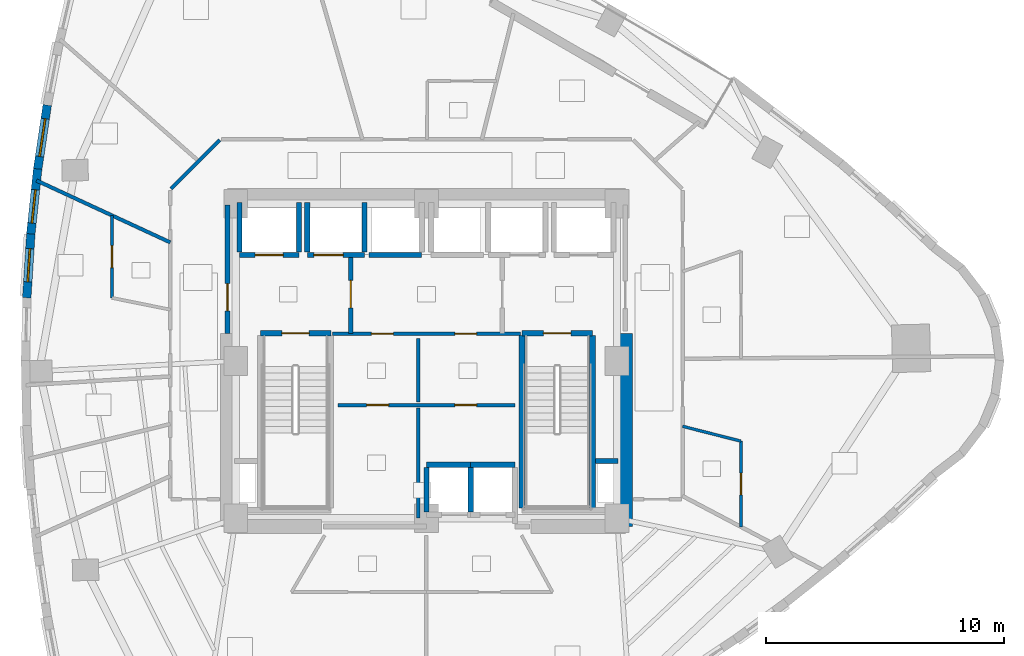
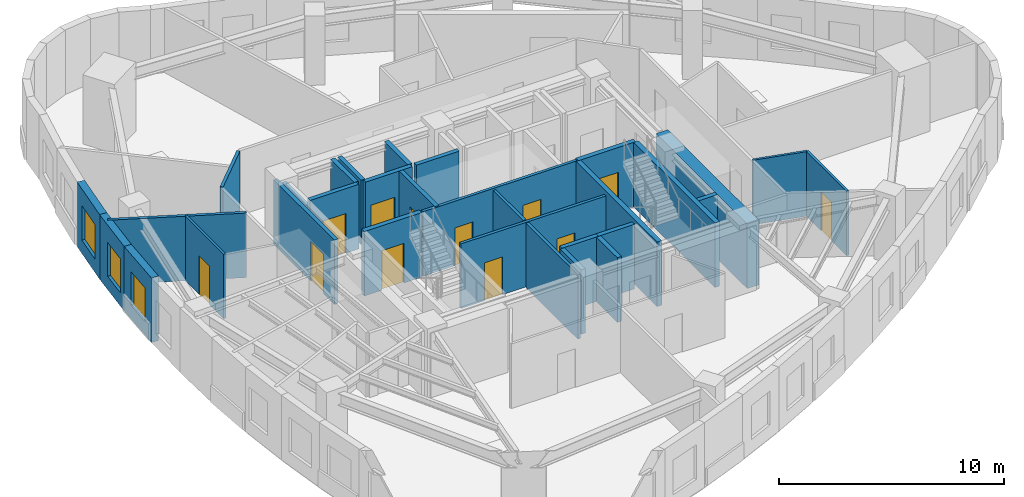
# One storey, part 8 of 13: 31 walls, 12 doors, 3 windows, 15 openings.
"""IFC4 building model written with IfcOpenShell, lengths in metres."""

import ifcopenshell
import ifcopenshell.guid

model = None  # the IFC model being written
_history = None  # IfcOwnerHistory: only IFC2X3 demands one
_inside = {}  # id of a spatial element -> (the spatial element, [elements in it])
_under = {}  # id of a project, library or spatial element -> (it, [spatial elements below it])
_declared = {}  # id of a project -> (the project, [libraries it declares])
_typed = {}  # id of a type object -> (the type object, [elements of that type])
_made_of = {}  # id of a material, layer set ... -> (it, [elements and type objects made of it])


def new_model(schema):
    """Start an empty IFC model of exactly this schema.

    Asked for "IFC4X3", IfcOpenShell would pick the latest addendum, in which some entities
    have other attributes; the version numbers below select the first issue.
    IFC2X3 requires an IfcOwnerHistory on every rooted entity: one is made here for all.
    """
    global model, _history
    if schema == "IFC4X3":
        model = ifcopenshell.file(schema_version=(4, 3, 0, 0))
    else:
        model = ifcopenshell.file(schema=schema)
    _inside.clear()
    _under.clear()
    _declared.clear()
    _typed.clear()
    _made_of.clear()
    _history = None
    if model.schema == "IFC2X3":
        org = make("IfcOrganization", Name="unknown")
        user = make(
            "IfcPersonAndOrganization",
            ThePerson=make("IfcPerson", FamilyName="unknown"),
            TheOrganization=org,
        )
        app = make(
            "IfcApplication",
            ApplicationDeveloper=org,
            Version="unknown",
            ApplicationFullName="unknown",
            ApplicationIdentifier="unknown",
        )
        _history = make(
            "IfcOwnerHistory",
            OwningUser=user,
            OwningApplication=app,
            ChangeAction="ADDED",
            CreationDate=0,
        )
    return model


def make(cls, **values):
    """One entity of the class cls with the attributes given. An attribute that is None is left unset."""
    return model.create_entity(
        cls, **{name: value for name, value in values.items() if value is not None}
    )


def rooted(cls, **values):
    """An entity with a GlobalId (a new one), such as an element, a storey or a relation."""
    return make(cls, GlobalId=ifcopenshell.guid.new(), OwnerHistory=_history, **values)


def si_unit(unit_type, name, prefix=None):
    """IfcSIUnit, for example si_unit("LENGTHUNIT", "METRE", prefix="MILLI")."""
    return make("IfcSIUnit", UnitType=unit_type, Prefix=prefix, Name=name)


def assignment(units):
    """IfcUnitAssignment: the units of a project."""
    return None if units is None else make("IfcUnitAssignment", Units=units)


def point(xyz):
    """IfcCartesianPoint."""
    return None if xyz is None else make("IfcCartesianPoint", Coordinates=xyz)


def direction(xyz):
    """IfcDirection."""
    return None if xyz is None else make("IfcDirection", DirectionRatios=xyz)


def frame(location, z_axis=None, x_axis=None):
    """IfcAxis2Placement3D, a coordinate frame: its origin and axes. An axis left out is left unset."""
    return make(
        "IfcAxis2Placement3D",
        Location=point(location),
        Axis=direction(z_axis),
        RefDirection=direction(x_axis),
    )


def frame_2d(location, x_axis=None):
    """IfcAxis2Placement2D, a coordinate frame in the plane: its origin and x axis."""
    return make(
        "IfcAxis2Placement2D", Location=point(location), RefDirection=direction(x_axis)
    )


def origin():
    """The frame at (0, 0, 0) with its axes left unset."""
    return frame((0.0, 0.0, 0.0))


def place(relative_to, where):
    """IfcLocalPlacement: puts the frame where relative to a parent placement (None: the world)."""
    return make(
        "IfcLocalPlacement", PlacementRelTo=relative_to, RelativePlacement=where
    )


def context(
    kind, dimensions, precision=None, world=None, true_north=None, identifier=None
):
    """IfcGeometricRepresentationContext, for example the 3D "Model" context."""
    return make(
        "IfcGeometricRepresentationContext",
        ContextIdentifier=identifier,
        ContextType=kind,
        CoordinateSpaceDimension=dimensions,
        Precision=precision,
        WorldCoordinateSystem=world,
        TrueNorth=true_north,
    )


def subcontext(parent, identifier, kind, view, scale=None):
    """IfcGeometricRepresentationSubContext, for example "Body" below "Model"."""
    return make(
        "IfcGeometricRepresentationSubContext",
        ContextIdentifier=identifier,
        ContextType=kind,
        ParentContext=parent,
        TargetScale=scale,
        TargetView=view,
    )


def project(units=None, contexts=None):
    """IfcProject with its units and contexts."""
    return rooted(
        "IfcProject",
        Name="project",
        RepresentationContexts=contexts,
        UnitsInContext=assignment(units),
    )


def spatial(cls, under=None, at=None, **own):
    """A site, building, storey or space (cls), placed at a placement, below another one or the project."""
    s = rooted(cls, ObjectPlacement=at, **own)
    if under is not None:
        _under.setdefault(under.id(), (under, []))[1].append(s)
    return s


def profile(cls, at=None, kind="AREA", **sizes):
    """A parametric profile (cls). Its sizes go by their IFC names, for example OverallWidth=200.0."""
    return make(cls, ProfileType=kind, Position=at, **sizes)


def rectangle(**sizes):
    """IfcRectangleProfileDef."""
    return profile("IfcRectangleProfileDef", **sizes)


def extrude(swept, where, along, depth):
    """IfcExtrudedAreaSolid: the profile swept, set in the frame where, extruded along a direction by depth."""
    return make(
        "IfcExtrudedAreaSolid",
        SweptArea=swept,
        Position=where,
        ExtrudedDirection=direction(along),
        Depth=depth,
    )


def shape(context_of_items, identifier, shape_type, items):
    """IfcShapeRepresentation: the items that make up one representation, for example the "Body"."""
    return make(
        "IfcShapeRepresentation",
        ContextOfItems=context_of_items,
        RepresentationIdentifier=identifier,
        RepresentationType=shape_type,
        Items=items,
    )


def material(Name=None, Category=None):
    """IfcMaterial."""
    return make("IfcMaterial", Name=Name, Category=Category)


def layer(
    of_material, thickness, ventilated=None, Name=None, Category=None, Priority=None
):
    """IfcMaterialLayer: one layer of a wall or slab, of a material (None: an air gap)."""
    return make(
        "IfcMaterialLayer",
        Material=of_material,
        LayerThickness=thickness,
        IsVentilated=ventilated,
        Name=Name,
        Category=Category,
        Priority=Priority,
    )


def layer_set(layers, Name=None):
    """IfcMaterialLayerSet."""
    return make("IfcMaterialLayerSet", MaterialLayers=layers, LayerSetName=Name)


def made_of(thing, what):
    """Note that an element or type object is made of a material, layer set ...; save() writes the relation."""
    if what is not None:
        _made_of.setdefault(what.id(), (what, []))[1].append(thing)
    return thing


def type_object(cls, material=None, **own):
    """A type object (cls), such as IfcWallType, which elements share."""
    return made_of(rooted(cls, **own), material)


def element(
    cls,
    number,
    at=None,
    inside=None,
    cuts=None,
    type_object=None,
    material=None,
    context=None,
    identifier="Body",
    shape_type=None,
    held_by="IfcProductDefinitionShape",
    body=None,
    shapes=None,
    **own,
):
    """One element of the class cls, such as IfcWall. Its Tag is "e" and its number.

    at: its placement. inside: the storey or other place that contains it. cuts: it is an
    opening in that element (IfcRelVoidsElement). A single representation is given by context,
    identifier, shape_type and body (its items); several are given by shapes. held_by: the class
    of the entity that holds the representations. save() writes the other relations.
    """
    e = rooted(cls, Tag="e%d" % number, ObjectPlacement=at, **own)
    if body is not None:
        shapes = [shape(context, identifier, shape_type, body)]
    if shapes is not None:
        e.Representation = make(held_by, Representations=shapes)
    if inside is not None:
        _inside.setdefault(inside.id(), (inside, []))[1].append(e)
    if cuts is not None:
        rooted(
            "IfcRelVoidsElement", RelatingBuildingElement=cuts, RelatedOpeningElement=e
        )
    if type_object is not None:
        _typed.setdefault(type_object.id(), (type_object, []))[1].append(e)
    return made_of(e, material)


def fill(opening, filler):
    """IfcRelFillsElement: the door or window that sits in an opening."""
    return rooted(
        "IfcRelFillsElement",
        RelatingOpeningElement=opening,
        RelatedBuildingElement=filler,
    )


def aggregate(whole, parts):
    """IfcRelAggregates: a whole, such as a stair, and the parts it consists of."""
    return rooted("IfcRelAggregates", RelatingObject=whole, RelatedObjects=parts)


def save(model, path):
    """Write the relations noted so far, then the file.

    IfcRelAggregates (storeys below a building ...), IfcRelContainedInSpatialStructure (elements
    in a storey), IfcRelDefinesByType, IfcRelAssociatesMaterial and IfcRelDeclares: one each for
    every whole, place, type object, material and project.
    """
    for whole, parts in _under.values():
        aggregate(whole, parts)
    for where, things in _inside.values():
        rooted(
            "IfcRelContainedInSpatialStructure",
            RelatedElements=things,
            RelatingStructure=where,
        )
    for kind, things in _typed.values():
        rooted("IfcRelDefinesByType", RelatedObjects=things, RelatingType=kind)
    for what, things in _made_of.values():
        rooted("IfcRelAssociatesMaterial", RelatedObjects=things, RelatingMaterial=what)
    for by, libraries in _declared.values():
        rooted("IfcRelDeclares", RelatingContext=by, RelatedDefinitions=libraries)
    model.write(path)


model = new_model("IFC4")

# Units and contexts
model_context = context("Model", 3, precision=1e-05, world=origin(), true_north=direction((0.0, 1.0)))
body_context = subcontext(model_context, "Body", "Model", "MODEL_VIEW")
ifc_project = project(units=[si_unit("LENGTHUNIT", "METRE"), si_unit("AREAUNIT", "SQUARE_METRE"), si_unit("VOLUMEUNIT", "CUBIC_METRE"), si_unit("PLANEANGLEUNIT", "RADIAN"), si_unit("MASSUNIT", "GRAM", prefix="KILO")], contexts=[model_context])

# Site, building, storey
site_placement = place(None, origin())
site = spatial("IfcSite", under=ifc_project, at=site_placement, CompositionType="ELEMENT")
building_placement = place(site_placement, origin())
building = spatial("IfcBuilding", under=site, at=building_placement, Name="Ndelora Gate Hotel", CompositionType="ELEMENT")
storey_placement = place(building_placement, frame((0.0, 0.0, 123.5)))
storey = spatial("IfcBuildingStorey", under=building, at=storey_placement, Name="L30", CompositionType="ELEMENT", Elevation=123.5)

# Wall, opening, window
ifc_material_1 = material(Name="Clay Brick Masonry", Category="masonry")
ifc_layer_1 = layer(ifc_material_1, 0.360107421875)
ifc_layer_set_1 = layer_set([ifc_layer_1], Name="Clay Brick Masonry")
wall_type_1 = type_object("IfcWallType", Name="WL-BRICK-360", PredefinedType="SOLIDWALL", material=ifc_layer_set_1)
wall_1_placement = place(storey_placement, frame((-16.3212890625, 8.01220703125, 0.0), z_axis=(0.0, 0.0, 1.0), x_axis=(0.147193392227, 0.98910773189, 0.0)))
wall_1 = element("IfcWall", 1, at=wall_1_placement, inside=storey, type_object=wall_type_1, Name="L30 Tower Brick Pier-and-Spandrel Wall TWR-11", PredefinedType="SOLIDWALL", context=body_context, shape_type="SweptSolid", body=[
    extrude(rectangle(XDim=2.75830078125, YDim=0.360107421875, at=frame_2d((1.379150390625, 0.0))), origin(), (0.0, 0.0, 1.0), 3.5),
])
opening_1_placement = place(wall_1_placement, frame((0.5791015625, 0.0, 0.719970703125)))
opening_1 = element("IfcOpeningElement", 2, at=opening_1_placement, cuts=wall_1, Name="Opening W01", PredefinedType="OPENING", context=body_context, shape_type="SweptSolid", body=[
    extrude(rectangle(XDim=1.60009765625, YDim=1.8798828125, at=frame_2d((0.800048828125, 0.93994140625))), frame((0.0, 0.18994140625, 0.0), z_axis=(0.0, -1.0, 0.0), x_axis=(1.0, 0.0, 0.0)), (0.0, 0.0, 1.0), 0.380126953125),
])
ifc_material_2 = material(Name="Insulated Low-E Double Glazing in Bronze Aluminium Frame", Category="aluminium")
window_type_1 = type_object("IfcWindowType", Name="WN-DEEP-1600", PartitioningType="SINGLE_PANEL", PredefinedType="WINDOW", material=ifc_material_2)
window_1_placement = place(opening_1_placement, origin())
window_1 = element("IfcWindow", 3, at=window_1_placement, inside=storey, type_object=window_type_1, Name="L30 Deep-Set Brick-Pier Window W01", OverallHeight=1.8798828125, OverallWidth=1.60009765625, PartitioningType="SINGLE_PANEL", PredefinedType="WINDOW", context=body_context, shape_type="SweptSolid", body=[
    extrude(rectangle(XDim=1.60009765625, YDim=1.8798828125, at=frame_2d((0.800048828125, 0.93994140625))), frame((0.0, 0.030029296875, 0.0), z_axis=(0.0, -1.0, 0.0), x_axis=(1.0, 0.0, 0.0)), (0.0, 0.0, 1.0), 0.06005859375),
])
fill(opening_1, window_1)

wall_2_placement = place(storey_placement, frame((-16.60498046875, 5.3330078125, 0.0), z_axis=(0.0, 0.0, 1.0), x_axis=(0.105606362296, 0.994408012962, 0.0)))
wall_2 = element("IfcWall", 4, at=wall_2_placement, inside=storey, type_object=wall_type_1, Name="L30 Tower Brick Pier-and-Spandrel Wall TWR-12", PredefinedType="SOLIDWALL", context=body_context, shape_type="SweptSolid", body=[
    extrude(rectangle(XDim=2.744140625, YDim=0.360107421875, at=frame_2d((1.3720703125, 0.0))), origin(), (0.0, 0.0, 1.0), 3.5),
])
opening_2_placement = place(wall_2_placement, frame((0.4599609375, 0.0, 0.719970703125)))
opening_2 = element("IfcOpeningElement", 5, at=opening_2_placement, cuts=wall_2, Name="Opening W02", PredefinedType="OPENING", context=body_context, shape_type="SweptSolid", body=[
    extrude(rectangle(XDim=1.39990234375, YDim=1.840087890625, at=frame_2d((0.699951171875, 0.919921875))), frame((0.0, 0.18994140625, 0.0), z_axis=(0.0, -1.0, 0.0), x_axis=(1.0, 0.0, 0.0)), (0.0, 0.0, 1.0), 0.380126953125),
])
window_type_2 = type_object("IfcWindowType", Name="WN-DEEP-1400", PartitioningType="SINGLE_PANEL", PredefinedType="WINDOW", material=ifc_material_2)
window_2_placement = place(opening_2_placement, origin())
window_2 = element("IfcWindow", 6, at=window_2_placement, inside=storey, type_object=window_type_2, Name="L30 Deep-Set Brick-Pier Window W02", OverallHeight=1.840087890625, OverallWidth=1.39990234375, PartitioningType="SINGLE_PANEL", PredefinedType="WINDOW", context=body_context, shape_type="SweptSolid", body=[
    extrude(rectangle(XDim=1.39990234375, YDim=1.840087890625, at=frame_2d((0.699951171875, 0.919921875))), frame((0.0, 0.030029296875, 0.0), z_axis=(0.0, -1.0, 0.0), x_axis=(1.0, 0.0, 0.0)), (0.0, 0.0, 1.0), 0.06005859375),
])
fill(opening_2, window_2)

wall_3_placement = place(storey_placement, frame((-16.77490234375, 2.654052734375, 0.0), z_axis=(0.0, 0.0, 1.0), x_axis=(0.063662313476, 0.99797149751, 0.0)))
wall_3 = element("IfcWall", 7, at=wall_3_placement, inside=storey, type_object=wall_type_1, Name="L30 Tower Brick Pier-and-Spandrel Wall TWR-13", PredefinedType="SOLIDWALL", context=body_context, shape_type="SweptSolid", body=[
    extrude(rectangle(XDim=2.734375, YDim=0.360107421875, at=frame_2d((1.3671875, 0.0))), origin(), (0.0, 0.0, 1.0), 3.5),
])
opening_3_placement = place(wall_3_placement, frame((0.667236328125, 0.0, 0.719970703125)))
opening_3 = element("IfcOpeningElement", 8, at=opening_3_placement, cuts=wall_3, Name="Opening W02", PredefinedType="OPENING", context=body_context, shape_type="SweptSolid", body=[
    extrude(rectangle(XDim=1.39990234375, YDim=1.840087890625, at=frame_2d((0.699951171875, 0.919921875))), frame((0.0, 0.18994140625, 0.0), z_axis=(0.0, -1.0, 0.0), x_axis=(1.0, 0.0, 0.0)), (0.0, 0.0, 1.0), 0.380126953125),
])
window_3_placement = place(opening_3_placement, origin())
window_3 = element("IfcWindow", 9, at=window_3_placement, inside=storey, type_object=window_type_2, Name="L30 Deep-Set Brick-Pier Window W02", OverallHeight=1.840087890625, OverallWidth=1.39990234375, PartitioningType="SINGLE_PANEL", PredefinedType="WINDOW", context=body_context, shape_type="SweptSolid", body=[
    extrude(rectangle(XDim=1.39990234375, YDim=1.840087890625, at=frame_2d((0.699951171875, 0.919921875))), frame((0.0, 0.030029296875, 0.0), z_axis=(0.0, -1.0, 0.0), x_axis=(1.0, 0.0, 0.0)), (0.0, 0.0, 1.0), 0.06005859375),
])
fill(opening_3, window_3)

# Wall
ifc_material_3 = material(Name="Concrete C60/75", Category="concrete")
ifc_layer_2 = layer(ifc_material_3, 0.60009765625)
ifc_layer_set_2 = layer_set([ifc_layer_2], Name="Concrete C60/75")
wall_type_2 = type_object("IfcWallType", Name="WL-CORE-600", PredefinedType="SHEAR", material=ifc_layer_set_2)
wall_4_placement = place(storey_placement, frame((8.35009765625, -6.949951171875, 0.0), z_axis=(0.0, 0.0, 1.0), x_axis=(0.0, 1.0, 0.0)))
element("IfcWall", 10, at=wall_4_placement, inside=storey, type_object=wall_type_2, Name="L30 Core Shear Wall E", PredefinedType="SHEAR", context=body_context, shape_type="SweptSolid", body=[
    extrude(rectangle(XDim=8.099853515625, YDim=0.60009765625, at=frame_2d((4.0498046875, 0.0))), origin(), (0.0, 0.0, 1.0), 3.5),
])

# Wall, opening, door
ifc_material_4 = material(Name="Concrete C40/50", Category="concrete")
ifc_layer_3 = layer(ifc_material_4, 0.199951171875)
ifc_layer_set_3 = layer_set([ifc_layer_3], Name="Concrete C40/50")
wall_type_3 = type_object("IfcWallType", Name="WL-FIRE-200", PredefinedType="PARTITIONING", material=ifc_layer_set_3)
wall_5_placement = place(storey_placement, frame((-3.179931640625, 1.14990234375, 0.0), z_axis=(0.0, 0.0, 1.0), x_axis=(0.0, 1.0, 0.0)))
wall_5 = element("IfcWall", 11, at=wall_5_placement, inside=storey, type_object=wall_type_3, Name="L30 Interior Wall IW-2", PredefinedType="PARTITIONING", context=body_context, shape_type="SweptSolid", body=[
    extrude(rectangle(XDim=3.300048828125, YDim=0.199951171875, at=frame_2d((1.64990234375, 0.0))), origin(), (0.0, 0.0, 1.0), 3.5),
])
opening_4_placement = place(wall_5_placement, frame((1.080078125, 0.0, 0.0)))
opening_4 = element("IfcOpeningElement", 12, at=opening_4_placement, cuts=wall_5, Name="Opening FD1", PredefinedType="OPENING", context=body_context, shape_type="SweptSolid", body=[
    extrude(rectangle(XDim=1.14990234375, YDim=2.14990234375, at=frame_2d((0.574951171875, 1.074951171875))), frame((0.0, 0.10986328125, 0.0), z_axis=(0.0, -1.0, 0.0), x_axis=(1.0, 0.0, 0.0)), (0.0, 0.0, 1.0), 0.219970703125),
])
ifc_material_5 = material(Name="Fire-Rated Timber-Veneer Steel Core", Category="steel")
door_type_1 = type_object("IfcDoorType", Name="DR-FD60", OperationType="SINGLE_SWING_LEFT", PredefinedType="DOOR", material=ifc_material_5)
door_1_placement = place(opening_4_placement, origin())
door_1 = element("IfcDoor", 13, at=door_1_placement, inside=storey, type_object=door_type_1, Name="L30 Firefighting Lobby West Door", OperationType="SINGLE_SWING_RIGHT", OverallHeight=2.14990234375, OverallWidth=1.14990234375, PredefinedType="DOOR", context=body_context, shape_type="SweptSolid", body=[
    extrude(rectangle(XDim=1.14990234375, YDim=2.14990234375, at=frame_2d((0.574951171875, 1.074951171875))), frame((0.0, 0.02490234375, 0.0), z_axis=(0.0, -1.0, 0.0), x_axis=(1.0, 0.0, 0.0)), (0.0, 0.0, 1.0), 0.050048828125),
])
fill(opening_4, door_1)

wall_6_placement = place(storey_placement, frame((-8.35009765625, 1.14990234375, 0.0), z_axis=(0.0, 0.0, 1.0), x_axis=(0.0, 1.0, 0.0)))
wall_6 = element("IfcWall", 14, at=wall_6_placement, inside=storey, type_object=wall_type_3, Name="L30 Interior Wall IW-2", PredefinedType="PARTITIONING", context=body_context, shape_type="SweptSolid", body=[
    extrude(rectangle(XDim=5.400146484375, YDim=0.199951171875, at=frame_2d((2.7001953125, 0.0))), origin(), (0.0, 0.0, 1.0), 3.5),
])
opening_5_placement = place(wall_6_placement, frame((0.949951171875, 0.0, 0.0)))
opening_5 = element("IfcOpeningElement", 15, at=opening_5_placement, cuts=wall_6, Name="Opening FD1", PredefinedType="OPENING", context=body_context, shape_type="SweptSolid", body=[
    extrude(rectangle(XDim=1.14990234375, YDim=2.14990234375, at=frame_2d((0.574951171875, 1.074951171875))), frame((0.0, 0.10986328125, 0.0), z_axis=(0.0, -1.0, 0.0), x_axis=(1.0, 0.0, 0.0)), (0.0, 0.0, 1.0), 0.219970703125),
])
door_2_placement = place(opening_5_placement, origin())
door_2 = element("IfcDoor", 16, at=door_2_placement, inside=storey, type_object=door_type_1, Name="L30 Firefighting Lobby West Corridor Door", OperationType="SINGLE_SWING_LEFT", OverallHeight=2.14990234375, OverallWidth=1.14990234375, PredefinedType="DOOR", context=body_context, shape_type="SweptSolid", body=[
    extrude(rectangle(XDim=1.14990234375, YDim=2.14990234375, at=frame_2d((0.574951171875, 1.074951171875))), frame((0.0, 0.02490234375, 0.0), z_axis=(0.0, -1.0, 0.0), x_axis=(1.0, 0.0, 0.0)), (0.0, 0.0, 1.0), 0.050048828125),
])
fill(opening_5, door_2)

# Wall, openings, doors
ifc_material_6 = material(Name="Fire-Rated Gypsum Stud Partition", Category="gypsum")
ifc_layer_4 = layer(ifc_material_6, 0.14990234375)
ifc_layer_set_4 = layer_set([ifc_layer_4], Name="Fire-Rated Gypsum Stud Partition")
wall_type_4 = type_object("IfcWallType", Name="WL-PART-150", PredefinedType="PARTITIONING", material=ifc_layer_set_4)
wall_7_placement = place(storey_placement, frame((3.949951171875, 1.14990234375, 0.0), z_axis=(0.0, 0.0, 1.0), x_axis=(-1.0, 0.0, 0.0)))
wall_7 = element("IfcWall", 17, at=wall_7_placement, inside=storey, type_object=wall_type_4, Name="L30 Interior Wall IW-5", PredefinedType="PARTITIONING", context=body_context, shape_type="SweptSolid", body=[
    extrude(rectangle(XDim=7.89990234375, YDim=0.14990234375, at=frame_2d((3.949951171875, 0.0))), origin(), (0.0, 0.0, 1.0), 3.5),
])
opening_6_placement = place(wall_7_placement, frame((5.340087890625, 0.0, 0.0)))
opening_6 = element("IfcOpeningElement", 18, at=opening_6_placement, cuts=wall_7, Name="Opening D04", PredefinedType="OPENING", context=body_context, shape_type="SweptSolid", body=[
    extrude(rectangle(XDim=0.919921875, YDim=2.050048828125, at=frame_2d((0.4599609375, 1.02490234375))), frame((0.0, 0.0849609375, 0.0), z_axis=(0.0, -1.0, 0.0), x_axis=(1.0, 0.0, 0.0)), (0.0, 0.0, 1.0), 0.169921875),
])
opening_7_placement = place(wall_7_placement, frame((1.840087890625, 0.0, 0.0)))
opening_7 = element("IfcOpeningElement", 19, at=opening_7_placement, cuts=wall_7, Name="Opening D04", PredefinedType="OPENING", context=body_context, shape_type="SweptSolid", body=[
    extrude(rectangle(XDim=0.919921875, YDim=2.050048828125, at=frame_2d((0.4599609375, 1.02490234375))), frame((0.0, 0.0849609375, 0.0), z_axis=(0.0, -1.0, 0.0), x_axis=(1.0, 0.0, 0.0)), (0.0, 0.0, 1.0), 0.169921875),
])
ifc_material_7 = material(Name="Painted Steel Core Service Door", Category="steel")
door_type_2 = type_object("IfcDoorType", Name="DR-SER-920", OperationType="SINGLE_SWING_LEFT", PredefinedType="DOOR", material=ifc_material_7)
door_3_placement = place(opening_6_placement, origin())
door_3 = element("IfcDoor", 20, at=door_3_placement, inside=storey, type_object=door_type_2, Name="L30 Core Electrical Closet Door", OperationType="SINGLE_SWING_LEFT", OverallHeight=2.050048828125, OverallWidth=0.919921875, PredefinedType="DOOR", context=body_context, shape_type="SweptSolid", body=[
    extrude(rectangle(XDim=0.919921875, YDim=2.050048828125, at=frame_2d((0.4599609375, 1.02490234375))), frame((0.0, 0.02490234375, 0.0), z_axis=(0.0, -1.0, 0.0), x_axis=(1.0, 0.0, 0.0)), (0.0, 0.0, 1.0), 0.050048828125),
])
fill(opening_6, door_3)
door_4_placement = place(opening_7_placement, origin())
door_4 = element("IfcDoor", 21, at=door_4_placement, inside=storey, type_object=door_type_2, Name="L30 Comms Patching Store Door", OperationType="SINGLE_SWING_RIGHT", OverallHeight=2.050048828125, OverallWidth=0.919921875, PredefinedType="DOOR", context=body_context, shape_type="SweptSolid", body=[
    extrude(rectangle(XDim=0.919921875, YDim=2.050048828125, at=frame_2d((0.4599609375, 1.02490234375))), frame((0.0, 0.02490234375, 0.0), z_axis=(0.0, -1.0, 0.0), x_axis=(1.0, 0.0, 0.0)), (0.0, 0.0, 1.0), 0.050048828125),
])
fill(opening_7, door_4)

wall_8_placement = place(storey_placement, frame((-3.719970703125, -1.85009765625, 0.0), z_axis=(0.0, 0.0, 1.0), x_axis=(1.0, 0.0, 0.0)))
wall_8 = element("IfcWall", 22, at=wall_8_placement, inside=storey, type_object=wall_type_4, Name="L30 Interior Wall IW-5", PredefinedType="PARTITIONING", context=body_context, shape_type="SweptSolid", body=[
    extrude(rectangle(XDim=7.43994140625, YDim=0.14990234375, at=frame_2d((3.719970703125, 0.0))), origin(), (0.0, 0.0, 1.0), 3.5),
])
opening_8_placement = place(wall_8_placement, frame((1.2099609375, 0.0, 0.0)))
opening_8 = element("IfcOpeningElement", 23, at=opening_8_placement, cuts=wall_8, Name="Opening D04", PredefinedType="OPENING", context=body_context, shape_type="SweptSolid", body=[
    extrude(rectangle(XDim=0.919921875, YDim=2.050048828125, at=frame_2d((0.4599609375, 1.02490234375))), frame((0.0, 0.0849609375, 0.0), z_axis=(0.0, -1.0, 0.0), x_axis=(1.0, 0.0, 0.0)), (0.0, 0.0, 1.0), 0.169921875),
])
opening_9_placement = place(wall_8_placement, frame((4.909912109375, 0.0, 0.0)))
opening_9 = element("IfcOpeningElement", 24, at=opening_9_placement, cuts=wall_8, Name="Opening D04", PredefinedType="OPENING", context=body_context, shape_type="SweptSolid", body=[
    extrude(rectangle(XDim=0.919921875, YDim=2.050048828125, at=frame_2d((0.4599609375, 1.02490234375))), frame((0.0, 0.0849609375, 0.0), z_axis=(0.0, -1.0, 0.0), x_axis=(1.0, 0.0, 0.0)), (0.0, 0.0, 1.0), 0.169921875),
])
door_5_placement = place(opening_8_placement, origin())
door_5 = element("IfcDoor", 25, at=door_5_placement, inside=storey, type_object=door_type_2, Name="L30 Core Service Internal Door", OperationType="SINGLE_SWING_LEFT", OverallHeight=2.050048828125, OverallWidth=0.919921875, PredefinedType="DOOR", context=body_context, shape_type="SweptSolid", body=[
    extrude(rectangle(XDim=0.919921875, YDim=2.050048828125, at=frame_2d((0.4599609375, 1.02490234375))), frame((0.0, 0.02490234375, 0.0), z_axis=(0.0, -1.0, 0.0), x_axis=(1.0, 0.0, 0.0)), (0.0, 0.0, 1.0), 0.050048828125),
])
fill(opening_8, door_5)
door_6_placement = place(opening_9_placement, origin())
door_6 = element("IfcDoor", 26, at=door_6_placement, inside=storey, type_object=door_type_2, Name="L30 Core Service Internal Door", OperationType="SINGLE_SWING_LEFT", OverallHeight=2.050048828125, OverallWidth=0.919921875, PredefinedType="DOOR", context=body_context, shape_type="SweptSolid", body=[
    extrude(rectangle(XDim=0.919921875, YDim=2.050048828125, at=frame_2d((0.4599609375, 1.02490234375))), frame((0.0, 0.02490234375, 0.0), z_axis=(0.0, -1.0, 0.0), x_axis=(1.0, 0.0, 0.0)), (0.0, 0.0, 1.0), 0.050048828125),
])
fill(opening_9, door_6)

# Walls
wall_9_placement = place(storey_placement, frame((-0.35009765625, -6.580078125, 0.0), z_axis=(0.0, 0.0, 1.0), x_axis=(0.0, 1.0, 0.0)))
element("IfcWall", 27, at=wall_9_placement, inside=storey, type_object=wall_type_4, Name="L30 Interior Wall IW-5", PredefinedType="PARTITIONING", context=body_context, shape_type="SweptSolid", body=[
    extrude(rectangle(XDim=4.610107421875, YDim=0.14990234375, at=frame_2d((2.30517578125, 0.0))), origin(), (0.0, 0.0, 1.0), 3.5),
])
wall_10_placement = place(storey_placement, frame((-0.35009765625, -1.72998046875, 0.0), z_axis=(0.0, 0.0, 1.0), x_axis=(0.0, 1.0, 0.0)))
element("IfcWall", 28, at=wall_10_placement, inside=storey, type_object=wall_type_4, Name="L30 Interior Wall IW-5", PredefinedType="PARTITIONING", context=body_context, shape_type="SweptSolid", body=[
    extrude(rectangle(XDim=2.679931640625, YDim=0.14990234375, at=frame_2d((1.33984375, 0.0))), origin(), (0.0, 0.0, 1.0), 3.5),
])
wall_11_placement = place(storey_placement, frame((-10.7216796875, 7.228271484375, 0.0), z_axis=(0.0, 0.0, 1.0), x_axis=(0.707106781187, 0.707106781187, 0.0)))
element("IfcWall", 29, at=wall_11_placement, inside=storey, type_object=wall_type_4, Name="L30 Interior Wall IW-5", PredefinedType="PARTITIONING", context=body_context, shape_type="SweptSolid", body=[
    extrude(rectangle(XDim=2.889892578125, YDim=0.14990234375, at=frame_2d((1.44482421875, 0.0))), origin(), (0.0, 0.0, 1.0), 3.5),
])
wall_12_placement = place(storey_placement, frame((-10.75, 4.9765625, 0.0), z_axis=(0.0, 0.0, 1.0), x_axis=(-0.907495868458, 0.420061005964, 0.0)))
element("IfcWall", 30, at=wall_12_placement, inside=storey, type_object=wall_type_4, Name="L30 Interior Wall IW-5", PredefinedType="PARTITIONING", context=body_context, shape_type="SweptSolid", body=[
    extrude(rectangle(XDim=6.189208984375, YDim=0.14990234375, at=frame_2d((3.0947265625, 0.0))), origin(), (0.0, 0.0, 1.0), 3.5),
])
ifc_layer_5 = layer(ifc_material_4, 0.219970703125)
ifc_layer_set_5 = layer_set([ifc_layer_5], Name="Concrete C40/50")
wall_type_5 = type_object("IfcWallType", Name="WL-SHAFT-220", PredefinedType="PARTITIONING", material=ifc_layer_set_5)
wall_13_placement = place(storey_placement, frame((7.090087890625, -4.199951171875, 0.0), z_axis=(0.0, 0.0, 1.0), x_axis=(1.0, 0.0, 0.0)))
element("IfcWall", 31, at=wall_13_placement, inside=storey, type_object=wall_type_5, Name="L30 Interior Wall IW-1", PredefinedType="PARTITIONING", context=body_context, shape_type="SweptSolid", body=[
    extrude(rectangle(XDim=0.9599609375, YDim=0.219970703125, at=frame_2d((0.47998046875, 0.0))), origin(), (0.0, 0.0, 1.0), 3.5),
])

# Wall, opening, door
wall_14_placement = place(storey_placement, frame((-7.85009765625, 4.449951171875, 0.0), z_axis=(0.0, 0.0, 1.0), x_axis=(1.0, 0.0, 0.0)))
wall_14 = element("IfcWall", 32, at=wall_14_placement, inside=storey, type_object=wall_type_5, Name="L30 Interior Wall IW-1", PredefinedType="PARTITIONING", context=body_context, shape_type="SweptSolid", body=[
    extrude(rectangle(XDim=2.5, YDim=0.219970703125, at=frame_2d((1.25, 0.0))), origin(), (0.0, 0.0, 1.0), 3.5),
])
opening_10_placement = place(wall_14_placement, frame((0.659912109375, 0.0, 0.0)))
opening_10 = element("IfcOpeningElement", 33, at=opening_10_placement, cuts=wall_14, Name="Opening LD5", PredefinedType="OPENING", context=body_context, shape_type="SweptSolid", body=[
    extrude(rectangle(XDim=1.179931640625, YDim=2.14990234375, at=frame_2d((0.58984375, 1.074951171875))), frame((0.0, 0.1201171875, 0.0), z_axis=(0.0, -1.0, 0.0), x_axis=(1.0, 0.0, 0.0)), (0.0, 0.0, 1.0), 0.239990234375),
])
ifc_material_8 = material(Name="Firefighting Lift Stainless Sliding Landing Door", Category="metal")
door_type_3 = type_object("IfcDoorType", Name="DR-LD5", OperationType="DOUBLE_DOOR_SLIDING", PredefinedType="DOOR", material=ifc_material_8)
door_7_placement = place(opening_10_placement, origin())
door_7 = element("IfcDoor", 34, at=door_7_placement, inside=storey, type_object=door_type_3, Name="L30 Lift Landing Sliding Door FFL1", OperationType="DOUBLE_DOOR_SLIDING", OverallHeight=2.14990234375, OverallWidth=1.179931640625, PredefinedType="DOOR", context=body_context, shape_type="SweptSolid", body=[
    extrude(rectangle(XDim=1.179931640625, YDim=2.14990234375, at=frame_2d((0.58984375, 1.074951171875))), frame((0.0, 0.02490234375, 0.0), z_axis=(0.0, -1.0, 0.0), x_axis=(1.0, 0.0, 0.0)), (0.0, 0.0, 1.0), 0.050048828125),
])
fill(opening_10, door_7)

# Walls
wall_15_placement = place(storey_placement, frame((-7.85009765625, 4.570068359375, 0.0), z_axis=(0.0, 0.0, 1.0), x_axis=(0.0, 1.0, 0.0)))
element("IfcWall", 35, at=wall_15_placement, inside=storey, type_object=wall_type_5, Name="L30 Interior Wall IW-1", PredefinedType="PARTITIONING", context=body_context, shape_type="SweptSolid", body=[
    extrude(rectangle(XDim=2.079833984375, YDim=0.219970703125, at=frame_2d((1.0400390625, 0.0))), origin(), (0.0, 0.0, 1.0), 3.1201171875),
])
wall_16_placement = place(storey_placement, frame((-5.35009765625, 4.570068359375, 0.0), z_axis=(0.0, 0.0, 1.0), x_axis=(0.0, 1.0, 0.0)))
element("IfcWall", 36, at=wall_16_placement, inside=storey, type_object=wall_type_5, Name="L30 Interior Wall IW-1", PredefinedType="PARTITIONING", context=body_context, shape_type="SweptSolid", body=[
    extrude(rectangle(XDim=2.079833984375, YDim=0.219970703125, at=frame_2d((1.0400390625, 0.0))), origin(), (0.0, 0.0, 1.0), 3.5),
])

# Wall, opening, door
wall_17_placement = place(storey_placement, frame((-5.0, 4.449951171875, 0.0), z_axis=(0.0, 0.0, 1.0), x_axis=(1.0, 0.0, 0.0)))
wall_17 = element("IfcWall", 37, at=wall_17_placement, inside=storey, type_object=wall_type_5, Name="L30 Interior Wall IW-1", PredefinedType="PARTITIONING", context=body_context, shape_type="SweptSolid", body=[
    extrude(rectangle(XDim=2.39990234375, YDim=0.219970703125, at=frame_2d((1.199951171875, 0.0))), origin(), (0.0, 0.0, 1.0), 3.5),
])
opening_11_placement = place(wall_17_placement, frame((0.280029296875, 0.0, 0.0)))
opening_11 = element("IfcOpeningElement", 38, at=opening_11_placement, cuts=wall_17, Name="Opening LD6", PredefinedType="OPENING", context=body_context, shape_type="SweptSolid", body=[
    extrude(rectangle(XDim=1.219970703125, YDim=2.14990234375, at=frame_2d((0.60986328125, 1.074951171875))), frame((0.0, 0.1201171875, 0.0), z_axis=(0.0, -1.0, 0.0), x_axis=(1.0, 0.0, 0.0)), (0.0, 0.0, 1.0), 0.239990234375),
])
ifc_material_9 = material(Name="Heavy-Duty Service Lift Sliding Landing Door", Category="wood")
door_type_4 = type_object("IfcDoorType", Name="DR-LD6", OperationType="DOUBLE_DOOR_SLIDING", PredefinedType="DOOR", material=ifc_material_9)
door_8_placement = place(opening_11_placement, origin())
door_8 = element("IfcDoor", 39, at=door_8_placement, inside=storey, type_object=door_type_4, Name="L30 Lift Landing Sliding Door SVL1", OperationType="DOUBLE_DOOR_SLIDING", OverallHeight=2.14990234375, OverallWidth=1.219970703125, PredefinedType="DOOR", context=body_context, shape_type="SweptSolid", body=[
    extrude(rectangle(XDim=1.219970703125, YDim=2.14990234375, at=frame_2d((0.60986328125, 1.074951171875))), frame((0.0, 0.02490234375, 0.0), z_axis=(0.0, -1.0, 0.0), x_axis=(1.0, 0.0, 0.0)), (0.0, 0.0, 1.0), 0.050048828125),
])
fill(opening_11, door_8)

# Walls
for number, where, z_axis, x_axis, name in (
    (40, (-5.0, 4.570068359375, 0.0), (0.0, 0.0, 1.0), (0.0, 1.0, 0.0), "L30 Interior Wall IW-1"),
    (41, (-2.60009765625, 4.570068359375, 0.0), (0.0, 0.0, 1.0), (0.0, 1.0, 0.0), "L30 Interior Wall IW-1"),
):
    element("IfcWall", number, at=place(storey_placement, frame(where, z_axis=z_axis, x_axis=x_axis)), inside=storey, type_object=wall_type_5, Name=name, PredefinedType="PARTITIONING", context=body_context, shape_type="SweptSolid", body=[
        extrude(rectangle(XDim=2.079833984375, YDim=0.219970703125, at=frame_2d((1.0400390625, 0.0))), origin(), (0.0, 0.0, 1.0), 3.5),
    ])
for number, where, z_axis, x_axis, name in (
    (42, (0.0, -4.35009765625, 0.0), (0.0, 0.0, 1.0), (1.0, 0.0, 0.0), "L30 Interior Wall IW-1"),
    (43, (0.0, -6.330078125, 0.0), (0.0, 0.0, 1.0), (0.0, 1.0, 0.0), "L30 Interior Wall IW-1"),
    (44, (1.860107421875, -6.330078125, 0.0), (0.0, 0.0, 1.0), (0.0, 1.0, 0.0), "L30 Interior Wall IW-1"),
):
    element("IfcWall", number, at=place(storey_placement, frame(where, z_axis=z_axis, x_axis=x_axis)), inside=storey, type_object=wall_type_5, Name=name, PredefinedType="PARTITIONING", context=body_context, shape_type="SweptSolid", body=[
        extrude(rectangle(XDim=1.860107421875, YDim=0.219970703125, at=frame_2d((0.93017578125, 0.0))), origin(), (0.0, 0.0, 1.0), 3.5),
    ])
wall_18_placement = place(storey_placement, frame((1.860107421875, -4.35009765625, 0.0), z_axis=(0.0, 0.0, 1.0), x_axis=(1.0, 0.0, 0.0)))
element("IfcWall", 45, at=wall_18_placement, inside=storey, type_object=wall_type_5, Name="L30 Interior Wall IW-1", PredefinedType="PARTITIONING", context=body_context, shape_type="SweptSolid", body=[
    extrude(rectangle(XDim=1.85986328125, YDim=0.219970703125, at=frame_2d((0.929931640625, 0.0))), origin(), (0.0, 0.0, 1.0), 3.5),
])
wall_19_placement = place(storey_placement, frame((-2.39990234375, 4.449951171875, 0.0), z_axis=(0.0, 0.0, 1.0), x_axis=(1.0, 0.0, 0.0)))
element("IfcWall", 46, at=wall_19_placement, inside=storey, type_object=wall_type_5, Name="L30 Interior Wall IW-1", PredefinedType="PARTITIONING", context=body_context, shape_type="SweptSolid", body=[
    extrude(rectangle(XDim=2.199951171875, YDim=0.219970703125, at=frame_2d((1.10009765625, 0.0))), origin(), (0.0, 0.0, 1.0), 3.5),
])

# Wall, opening, door
ifc_material_10 = material(Name="Concrete C50/60", Category="concrete")
ifc_layer_6 = layer(ifc_material_10, 0.239990234375)
ifc_layer_set_6 = layer_set([ifc_layer_6], Name="Concrete C50/60")
wall_type_6 = type_object("IfcWallType", Name="WL-STAIR-240", PredefinedType="SHEAR", material=ifc_layer_set_6)
wall_20_placement = place(storey_placement, frame((-6.969970703125, 1.169921875, 0.0), z_axis=(0.0, 0.0, 1.0), x_axis=(1.0, 0.0, 0.0)))
wall_20 = element("IfcWall", 47, at=wall_20_placement, inside=storey, type_object=wall_type_6, Name="L30 Stair Core Shear Wall SW-ST", PredefinedType="SHEAR", context=body_context, shape_type="SweptSolid", body=[
    extrude(rectangle(XDim=2.9599609375, YDim=0.239990234375, at=frame_2d((1.47998046875, 0.0))), origin(), (0.0, 0.0, 1.0), 3.5),
])
opening_12_placement = place(wall_20_placement, frame((0.89990234375, 0.0, 0.0)))
opening_12 = element("IfcOpeningElement", 48, at=opening_12_placement, cuts=wall_20, Name="Opening FD1", PredefinedType="OPENING", context=body_context, shape_type="SweptSolid", body=[
    extrude(rectangle(XDim=1.14990234375, YDim=2.14990234375, at=frame_2d((0.574951171875, 1.074951171875))), frame((0.0, 0.1298828125, 0.0), z_axis=(0.0, -1.0, 0.0), x_axis=(1.0, 0.0, 0.0)), (0.0, 0.0, 1.0), 0.260009765625),
])
door_9_placement = place(opening_12_placement, origin())
door_9 = element("IfcDoor", 49, at=door_9_placement, inside=storey, type_object=door_type_1, Name="L30 Exit Stair ST4 Door", OperationType="SINGLE_SWING_LEFT", OverallHeight=2.14990234375, OverallWidth=1.14990234375, PredefinedType="DOOR", context=body_context, shape_type="SweptSolid", body=[
    extrude(rectangle(XDim=1.14990234375, YDim=2.14990234375, at=frame_2d((0.574951171875, 1.074951171875))), frame((0.0, 0.02490234375, 0.0), z_axis=(0.0, -1.0, 0.0), x_axis=(1.0, 0.0, 0.0)), (0.0, 0.0, 1.0), 0.050048828125),
])
fill(opening_12, door_9)

# Walls
for number, where, z_axis, x_axis, name in (
    (50, (4.010009765625, -6.159912109375, 0.0), (0.0, 0.0, 1.0), (0.0, 1.0, 0.0), "L30 Stair Core Shear Wall SW-ST"),
    (51, (6.969970703125, -6.159912109375, 0.0), (0.0, 0.0, 1.0), (0.0, 1.0, 0.0), "L30 Stair Core Shear Wall SW-ST"),
):
    element("IfcWall", number, at=place(storey_placement, frame(where, z_axis=z_axis, x_axis=x_axis)), inside=storey, type_object=wall_type_6, Name=name, PredefinedType="SHEAR", context=body_context, shape_type="SweptSolid", body=[
        extrude(rectangle(XDim=7.219970703125, YDim=0.239990234375, at=frame_2d((3.60986328125, 0.0))), origin(), (0.0, 0.0, 1.0), 3.5),
    ])

# Wall, opening, door
wall_21_placement = place(storey_placement, frame((4.010009765625, 1.169921875, 0.0), z_axis=(0.0, 0.0, 1.0), x_axis=(1.0, 0.0, 0.0)))
wall_21 = element("IfcWall", 52, at=wall_21_placement, inside=storey, type_object=wall_type_6, Name="L30 Stair Core Shear Wall SW-ST", PredefinedType="SHEAR", context=body_context, shape_type="SweptSolid", body=[
    extrude(rectangle(XDim=2.9599609375, YDim=0.239990234375, at=frame_2d((1.47998046875, 0.0))), origin(), (0.0, 0.0, 1.0), 3.5),
])
opening_13_placement = place(wall_21_placement, frame((0.89990234375, 0.0, 0.0)))
opening_13 = element("IfcOpeningElement", 53, at=opening_13_placement, cuts=wall_21, Name="Opening FD1", PredefinedType="OPENING", context=body_context, shape_type="SweptSolid", body=[
    extrude(rectangle(XDim=1.14990234375, YDim=2.14990234375, at=frame_2d((0.574951171875, 1.074951171875))), frame((0.0, 0.1298828125, 0.0), z_axis=(0.0, -1.0, 0.0), x_axis=(1.0, 0.0, 0.0)), (0.0, 0.0, 1.0), 0.260009765625),
])
door_10_placement = place(opening_13_placement, origin())
door_10 = element("IfcDoor", 54, at=door_10_placement, inside=storey, type_object=door_type_1, Name="L30 Exit Stair ST5 Door", OperationType="SINGLE_SWING_RIGHT", OverallHeight=2.14990234375, OverallWidth=1.14990234375, PredefinedType="DOOR", context=body_context, shape_type="SweptSolid", body=[
    extrude(rectangle(XDim=1.14990234375, YDim=2.14990234375, at=frame_2d((0.574951171875, 1.074951171875))), frame((0.0, 0.02490234375, 0.0), z_axis=(0.0, -1.0, 0.0), x_axis=(1.0, 0.0, 0.0)), (0.0, 0.0, 1.0), 0.050048828125),
])
fill(opening_13, door_10)

# Wall
ifc_material_11 = material(Name="Moisture-Resistant Bathroom Tile Partition", Category="gypsum")
ifc_layer_7 = layer(ifc_material_11, 0.1201171875)
ifc_layer_set_7 = layer_set([ifc_layer_7], Name="Moisture-Resistant Bathroom Tile Partition")
wall_type_7 = type_object("IfcWallType", Name="WL-WET-120", PredefinedType="PARTITIONING", material=ifc_layer_set_7)
wall_22_placement = place(storey_placement, frame((10.75, -2.739990234375, 0.0), z_axis=(0.0, 0.0, 1.0), x_axis=(0.969013175756, -0.247009038723, 0.0)))
element("IfcWall", 55, at=wall_22_placement, inside=storey, type_object=wall_type_7, Name="L30 Interior Wall IW-7", PredefinedType="PARTITIONING", context=body_context, shape_type="SweptSolid", body=[
    extrude(rectangle(XDim=2.5283203125, YDim=0.1201171875, at=frame_2d((1.26416015625, 0.0))), origin(), (0.0, 0.0, 1.0), 3.5),
])

# Wall, opening, door
wall_23_placement = place(storey_placement, frame((13.199951171875, -3.364501953125, 0.0), z_axis=(0.0, 0.0, 1.0), x_axis=(0.0, -1.0, 0.0)))
wall_23 = element("IfcWall", 56, at=wall_23_placement, inside=storey, type_object=wall_type_7, Name="L30 Interior Wall IW-7", PredefinedType="PARTITIONING", context=body_context, shape_type="SweptSolid", body=[
    extrude(rectangle(XDim=3.59521484375, YDim=0.1201171875, at=frame_2d((1.797607421875, 0.0))), origin(), (0.0, 0.0, 1.0), 3.5),
])
opening_14_placement = place(wall_23_placement, frame((1.33740234375, 0.0, 0.0)))
opening_14 = element("IfcOpeningElement", 57, at=opening_14_placement, cuts=wall_23, Name="Opening D03", PredefinedType="OPENING", context=body_context, shape_type="SweptSolid", body=[
    extrude(rectangle(XDim=0.919921875, YDim=2.10009765625, at=frame_2d((0.4599609375, 1.050048828125))), frame((0.0, 0.070068359375, 0.0), z_axis=(0.0, -1.0, 0.0), x_axis=(1.0, 0.0, 0.0)), (0.0, 0.0, 1.0), 0.14013671875),
])
ifc_material_12 = material(Name="Moisture-Resistant Hardwood En-Suite Door", Category="wood")
door_type_5 = type_object("IfcDoorType", Name="DR-BATH-920", OperationType="SINGLE_SWING_LEFT", PredefinedType="DOOR", material=ifc_material_12)
door_11_placement = place(opening_14_placement, origin())
door_11 = element("IfcDoor", 58, at=door_11_placement, inside=storey, type_object=door_type_5, Name="L30 En-suite Bathroom 3303 Door", OperationType="SINGLE_SWING_RIGHT", OverallHeight=2.10009765625, OverallWidth=0.919921875, PredefinedType="DOOR", context=body_context, shape_type="SweptSolid", body=[
    extrude(rectangle(XDim=0.919921875, YDim=2.10009765625, at=frame_2d((0.4599609375, 1.050048828125))), frame((0.0, 0.02490234375, 0.0), z_axis=(0.0, -1.0, 0.0), x_axis=(1.0, 0.0, 0.0)), (0.0, 0.0, 1.0), 0.050048828125),
])
fill(opening_14, door_11)

wall_24_placement = place(storey_placement, frame((-13.199951171875, 2.6474609375, 0.0), z_axis=(0.0, 0.0, 1.0), x_axis=(0.0, 1.0, 0.0)))
wall_24 = element("IfcWall", 59, at=wall_24_placement, inside=storey, type_object=wall_type_7, Name="L30 Interior Wall IW-7", PredefinedType="PARTITIONING", context=body_context, shape_type="SweptSolid", body=[
    extrude(rectangle(XDim=3.463134765625, YDim=0.1201171875, at=frame_2d((1.7314453125, 0.0))), origin(), (0.0, 0.0, 1.0), 3.5),
])
opening_15_placement = place(wall_24_placement, frame((1.271484375, 0.0, 0.0)))
opening_15 = element("IfcOpeningElement", 60, at=opening_15_placement, cuts=wall_24, Name="Opening D03", PredefinedType="OPENING", context=body_context, shape_type="SweptSolid", body=[
    extrude(rectangle(XDim=0.919921875, YDim=2.10009765625, at=frame_2d((0.4599609375, 1.050048828125))), frame((0.0, 0.070068359375, 0.0), z_axis=(0.0, -1.0, 0.0), x_axis=(1.0, 0.0, 0.0)), (0.0, 0.0, 1.0), 0.14013671875),
])
door_12_placement = place(opening_15_placement, origin())
door_12 = element("IfcDoor", 61, at=door_12_placement, inside=storey, type_object=door_type_5, Name="L30 En-suite Bathroom 3306 Door", OperationType="SINGLE_SWING_LEFT", OverallHeight=2.10009765625, OverallWidth=0.919921875, PredefinedType="DOOR", context=body_context, shape_type="SweptSolid", body=[
    extrude(rectangle(XDim=0.919921875, YDim=2.10009765625, at=frame_2d((0.4599609375, 1.050048828125))), frame((0.0, 0.02490234375, 0.0), z_axis=(0.0, -1.0, 0.0), x_axis=(1.0, 0.0, 0.0)), (0.0, 0.0, 1.0), 0.050048828125),
])
fill(opening_15, door_12)

save(model, "model.ifc")
